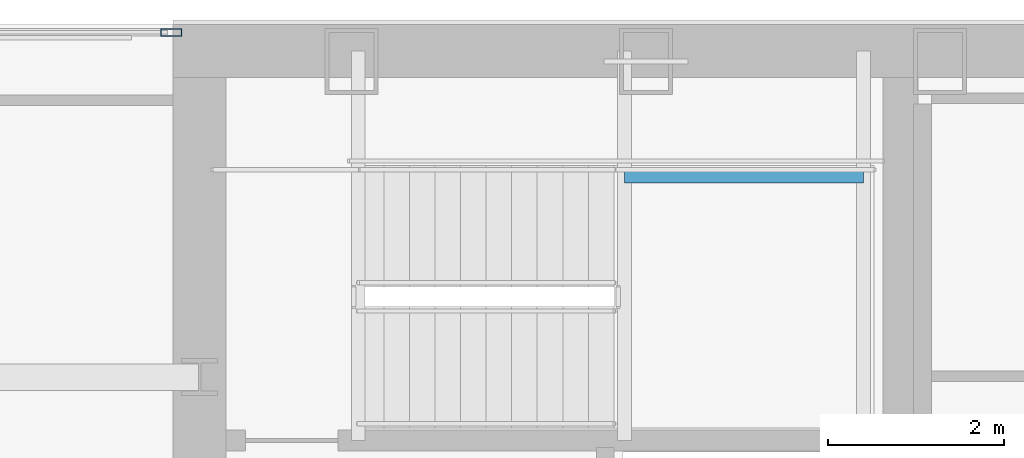
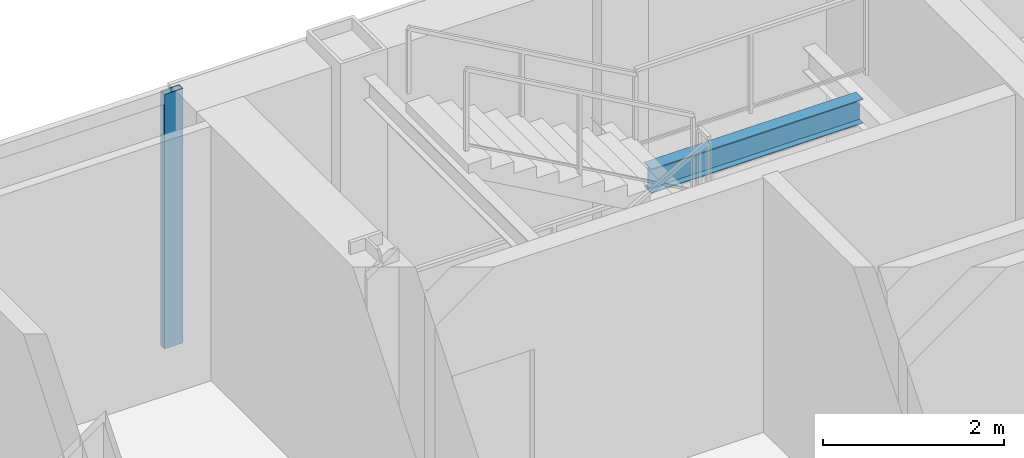
# One storey, part 20 of 29: 1 beam, 1 member, 1 element without a shape of its own.
"""IFC4 building model written with IfcOpenShell, lengths in metres."""

from ifc_helpers import new_model, si_unit, direction, frame, origin, origin_2d, place, context, subcontext, project, spatial, hollow_rectangle, i_section, extrude, material, material_profile, profile_set, type_object, element, aggregate, save


model = new_model("IFC4")

# Units and contexts
model_context = context("Model", 3, precision=1e-05, world=origin(), true_north=direction((0.0, 1.0)))
body_context = subcontext(model_context, "Body", "Model", "MODEL_VIEW")
ifc_project = project(units=[si_unit("LENGTHUNIT", "METRE"), si_unit("AREAUNIT", "SQUARE_METRE"), si_unit("VOLUMEUNIT", "CUBIC_METRE"), si_unit("PLANEANGLEUNIT", "RADIAN"), si_unit("MASSUNIT", "GRAM", prefix="KILO")], contexts=[model_context])

# Site, building, storey
site_placement = place(None, origin())
site = spatial("IfcSite", under=ifc_project, at=site_placement, CompositionType="ELEMENT")
building_placement = place(site_placement, origin())
building = spatial("IfcBuilding", under=site, at=building_placement, Name="Khoronbel Lancet Exchange", CompositionType="ELEMENT")
storey_placement = place(building_placement, frame((0.0, 0.0, 246.199951171875)))
storey = spatial("IfcBuildingStorey", under=building, at=storey_placement, Name="L63", CompositionType="ELEMENT", Elevation=246.199951171875)

# Beam
ifc_material_1 = material(Name="Steel S355", Category="steel")
ifc_material_profile_1 = material_profile(ifc_material_1, i_section(OverallWidth=0.159912109375, OverallDepth=0.330078125, WebThickness=0.007568359375, FlangeThickness=0.011474609375, at=origin_2d()), Name="IPE 330")
ifc_profile_set_1 = profile_set([ifc_material_profile_1], Name="Steel S355")
beam_type = type_object("IfcBeamType", Name="BM-BJ7", PredefinedType="JOIST", material=ifc_profile_set_1)
beam_placement = place(storey_placement, frame((21.320068359375, 51.97998046875, 1.43505859375), z_axis=(1.0, 0.0, 0.0), x_axis=(0.0, 1.0, 0.0)))
element("IfcBeam", 1, at=beam_placement, inside=storey, type_object=beam_type, Name="Level L63 stair ST1 landing cross trimmer beam 1", PredefinedType="JOIST", context=body_context, shape_type="SweptSolid", body=[
    extrude(i_section(OverallWidth=0.159912109375, OverallDepth=0.330078125, WebThickness=0.007568359375, FlangeThickness=0.011474609375, at=origin_2d()), origin(), (0.0, 0.0, 1.0), 2.7099609375),
])

# Curtain wall, member
ifc_material_2 = material(Name="Low-E Solar Control Insulating Glass", Category="glass")
curtain_wall_type = type_object("IfcCurtainWallType", Name="CW-3", PredefinedType="NOTDEFINED", material=ifc_material_2)
curtain_wall_placement = place(storey_placement, origin())
curtain_wall = element("IfcCurtainWall", 2, at=curtain_wall_placement, inside=storey, type_object=curtain_wall_type, Name="Unitised curtain wall CW-L63-NWFLK", PredefinedType="NOTDEFINED")
ifc_material_3 = material(Name="Bronze-Anodised Aluminium 6063-T6", Category="aluminium")
ifc_material_profile_2 = material_profile(ifc_material_3, hollow_rectangle(XDim=0.0849609375, YDim=0.239990234375, WallThickness=0.006103515625, at=origin_2d()), Name="ALU MULLION 85x240")
ifc_profile_set_2 = profile_set([ifc_material_profile_2], Name="Bronze-Anodised Aluminium 6063-T6")
member_type = type_object("IfcMemberType", Name="MEM-CWM1", PredefinedType="MULLION", material=ifc_profile_set_2)
member_placement = place(storey_placement, frame((16.177490234375, 53.610107421875, 0.0), z_axis=(0.0, 0.0, 1.0), x_axis=(0.0, -1.0, 0.0)))
member = element("IfcMember", 3, at=member_placement, type_object=member_type, Name="CW3 mullion 1", PredefinedType="MULLION", context=body_context, shape_type="SweptSolid", body=[
    extrude(hollow_rectangle(XDim=0.0849609375, YDim=0.239990234375, WallThickness=0.006103515625, at=origin_2d()), origin(), (0.0, 0.0, 1.0), 3.43994140625),
])
aggregate(curtain_wall, [member])

save(model, "model.ifc")
